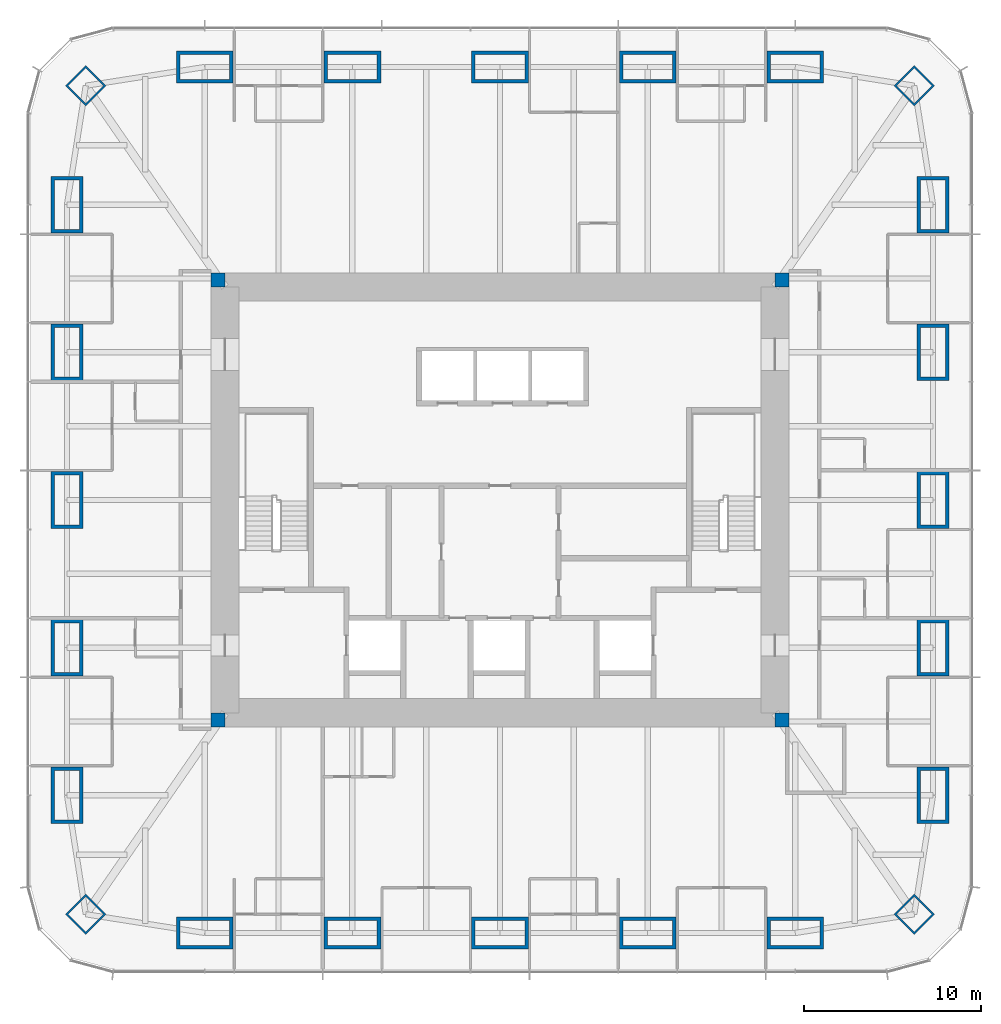
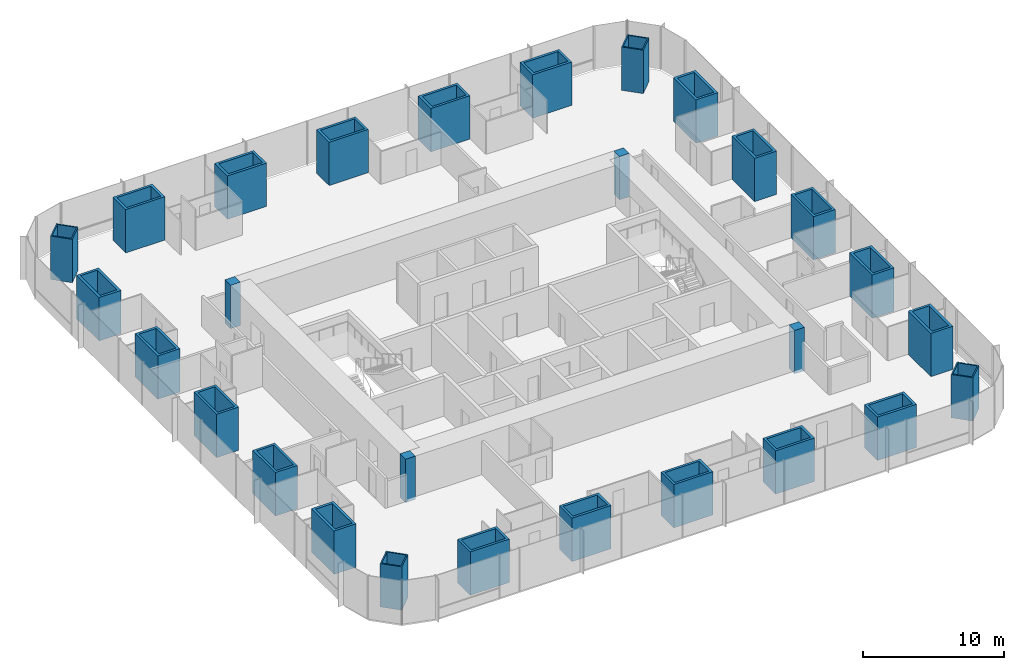
# One storey, part 1 of 12: 28 columns.
"""IFC4 building model written with IfcOpenShell, lengths in metres."""

from ifc_helpers import new_model, si_unit, direction, frame, origin, origin_2d, place, context, subcontext, project, spatial, rectangle, hollow_rectangle, extrude, material, material_profile, profile_set, type_object, element, save


model = new_model("IFC4")

# Units and contexts
model_context = context("Model", 3, precision=1e-05, world=origin(), true_north=direction((0.0, 1.0)))
body_context = subcontext(model_context, "Body", "Model", "MODEL_VIEW")
ifc_project = project(units=[si_unit("LENGTHUNIT", "METRE"), si_unit("AREAUNIT", "SQUARE_METRE"), si_unit("VOLUMEUNIT", "CUBIC_METRE"), si_unit("PLANEANGLEUNIT", "RADIAN"), si_unit("MASSUNIT", "GRAM", prefix="KILO")], contexts=[model_context])

# Site, building, storey
site_placement = place(None, origin())
site = spatial("IfcSite", under=ifc_project, at=site_placement, CompositionType="ELEMENT")
building_placement = place(site_placement, origin())
building = spatial("IfcBuilding", under=site, at=building_placement, Name="Khuree Lantern Residences", CompositionType="ELEMENT")
storey_placement = place(building_placement, frame((0.0, 0.0, 207.0)))
storey = spatial("IfcBuildingStorey", under=building, at=storey_placement, Name="L51", CompositionType="ELEMENT", Elevation=207.0)

# Columns
ifc_material_1 = material(Name="Steel S355 CFT welded box", Category="steel")
ifc_material_profile_1 = material_profile(ifc_material_1, hollow_rectangle(XDim=1.60009765625, YDim=1.60009765625, WallThickness=0.10009765625, at=origin_2d()), Name="WELDED BOX 1600X1600X100")
ifc_profile_set_1 = profile_set([ifc_material_profile_1], Name="Steel S355 CFT welded box")
column_type_1 = type_object("IfcColumnType", Name="CC1600 PERIMETER CORNER MEGA COLUMN WELDED BOX 1600X1600X100", PredefinedType="COLUMN", material=ifc_profile_set_1)
for number, where, z_axis, x_axis, name in (
    (1, (23.345703125, 23.345703125, 0.0), (0.0, 0.0, 1.0), (0.707106781187, -0.707106781187, 0.0), "Perimeter column NE"),
    (2, (23.345703125, -23.345703125, 0.0), (0.0, 0.0, 1.0), (0.707106781187, 0.707106781187, 0.0), "Perimeter column SE"),
    (3, (-23.345703125, -23.345703125, 0.0), (0.0, 0.0, 1.0), (0.707106781187, -0.707106781187, 0.0), "Perimeter column SW"),
    (4, (-23.345703125, 23.345703125, 0.0), (0.0, 0.0, 1.0), (0.707106781187, 0.707106781187, 0.0), "Perimeter column NW"),
):
    element("IfcColumn", number, at=place(storey_placement, frame(where, z_axis=z_axis, x_axis=x_axis)), inside=storey, type_object=column_type_1, Name=name, PredefinedType="COLUMN", context=body_context, shape_type="SweptSolid", body=[
        extrude(hollow_rectangle(XDim=1.60009765625, YDim=1.60009765625, WallThickness=0.10009765625, at=origin_2d()), origin(), (0.0, 0.0, 1.0), 3.75),
    ])
ifc_material_2 = material(Name="Concrete C50/60", Category="concrete")
ifc_material_profile_2 = material_profile(ifc_material_2, rectangle(XDim=0.800048828125, YDim=0.800048828125, at=origin_2d()), Name="RC 800X800")
ifc_profile_set_2 = profile_set([ifc_material_profile_2], Name="Concrete C50/60")
column_type_2 = type_object("IfcColumnType", Name="CP800-C50 CORE CORNER PIER C50 RC 800X800", PredefinedType="COLUMN", material=ifc_profile_set_2)
for number, where, z_axis, x_axis, name in (
    (5, (15.89990234375, 12.39990234375, -0.25), (0.0, 0.0, 1.0), (1.0, 0.0, 0.0), "Core corner pier NE"),
    (6, (-15.89990234375, 12.39990234375, -0.25), (0.0, 0.0, 1.0), (1.0, 0.0, 0.0), "Core corner pier NW"),
    (7, (-15.89990234375, -12.39990234375, -0.25), (0.0, 0.0, 1.0), (1.0, 0.0, 0.0), "Core corner pier SW"),
    (8, (15.89990234375, -12.39990234375, -0.25), (0.0, 0.0, 1.0), (1.0, 0.0, 0.0), "Core corner pier SE"),
):
    element("IfcColumn", number, at=place(storey_placement, frame(where, z_axis=z_axis, x_axis=x_axis)), inside=storey, type_object=column_type_2, Name=name, PredefinedType="COLUMN", context=body_context, shape_type="SweptSolid", body=[
        extrude(rectangle(XDim=0.800048828125, YDim=0.800048828125, at=origin_2d()), origin(), (0.0, 0.0, 1.0), 3.75),
    ])
ifc_material_profile_3 = material_profile(ifc_material_1, hollow_rectangle(XDim=3.199951171875, YDim=1.800048828125, WallThickness=0.199951171875, at=origin_2d()), Name="WELDED BOX 3200X1800X200")
ifc_profile_set_3 = profile_set([ifc_material_profile_3], Name="Steel S355 CFT welded box")
column_type_3 = type_object("IfcColumnType", Name="SC1 PERIMETER MEGA COLUMN WELDED BOX 3200X1800X200", PredefinedType="COLUMN", material=ifc_profile_set_3)
for number, where, z_axis, x_axis, name in (
    (9, (-16.639892578125, 24.39990234375, 0.0), (0.0, 0.0, 1.0), (1.0, 0.0, 0.0), "Perimeter column N1"),
    (10, (-8.320068359375, 24.39990234375, 0.0), (0.0, 0.0, 1.0), (1.0, 0.0, 0.0), "Perimeter column N2"),
    (11, (0.0, 24.39990234375, 0.0), (0.0, 0.0, 1.0), (1.0, 0.0, 0.0), "Perimeter column N3"),
    (12, (8.320068359375, 24.39990234375, 0.0), (0.0, 0.0, 1.0), (1.0, 0.0, 0.0), "Perimeter column N4"),
    (13, (16.639892578125, 24.39990234375, 0.0), (0.0, 0.0, 1.0), (1.0, 0.0, 0.0), "Perimeter column N5"),
    (14, (24.39990234375, 16.639892578125, 0.0), (0.0, 0.0, 1.0), (0.0, 1.0, 0.0), "Perimeter column E1"),
    (15, (24.39990234375, 8.320068359375, 0.0), (0.0, 0.0, 1.0), (0.0, 1.0, 0.0), "Perimeter column E2"),
    (16, (24.39990234375, 0.0, 0.0), (0.0, 0.0, 1.0), (0.0, 1.0, 0.0), "Perimeter column E3"),
    (17, (24.39990234375, -8.320068359375, 0.0), (0.0, 0.0, 1.0), (0.0, 1.0, 0.0), "Perimeter column E4"),
    (18, (24.39990234375, -16.639892578125, 0.0), (0.0, 0.0, 1.0), (0.0, 1.0, 0.0), "Perimeter column E5"),
    (19, (16.639892578125, -24.39990234375, 0.0), (0.0, 0.0, 1.0), (1.0, 0.0, 0.0), "Perimeter column S1"),
    (20, (8.320068359375, -24.39990234375, 0.0), (0.0, 0.0, 1.0), (1.0, 0.0, 0.0), "Perimeter column S2"),
    (21, (0.0, -24.39990234375, 0.0), (0.0, 0.0, 1.0), (1.0, 0.0, 0.0), "Perimeter column S3"),
    (22, (-8.320068359375, -24.39990234375, 0.0), (0.0, 0.0, 1.0), (1.0, 0.0, 0.0), "Perimeter column S4"),
    (23, (-16.639892578125, -24.39990234375, 0.0), (0.0, 0.0, 1.0), (1.0, 0.0, 0.0), "Perimeter column S5"),
    (24, (-24.39990234375, -16.639892578125, 0.0), (0.0, 0.0, 1.0), (0.0, 1.0, 0.0), "Perimeter column W1"),
    (25, (-24.39990234375, -8.320068359375, 0.0), (0.0, 0.0, 1.0), (0.0, 1.0, 0.0), "Perimeter column W2"),
    (26, (-24.39990234375, 0.0, 0.0), (0.0, 0.0, 1.0), (0.0, 1.0, 0.0), "Perimeter column W3"),
    (27, (-24.39990234375, 8.320068359375, 0.0), (0.0, 0.0, 1.0), (0.0, 1.0, 0.0), "Perimeter column W4"),
    (28, (-24.39990234375, 16.639892578125, 0.0), (0.0, 0.0, 1.0), (0.0, 1.0, 0.0), "Perimeter column W5"),
):
    element("IfcColumn", number, at=place(storey_placement, frame(where, z_axis=z_axis, x_axis=x_axis)), inside=storey, type_object=column_type_3, Name=name, PredefinedType="COLUMN", context=body_context, shape_type="SweptSolid", body=[
        extrude(hollow_rectangle(XDim=3.199951171875, YDim=1.800048828125, WallThickness=0.199951171875, at=origin_2d()), origin(), (0.0, 0.0, 1.0), 3.75),
    ])

save(model, "model.ifc")
